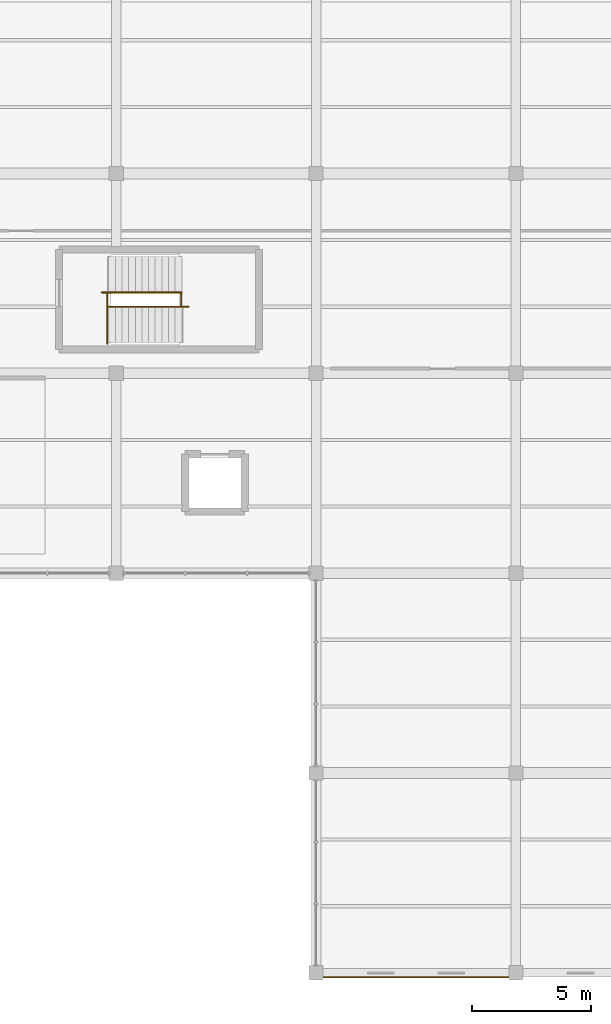
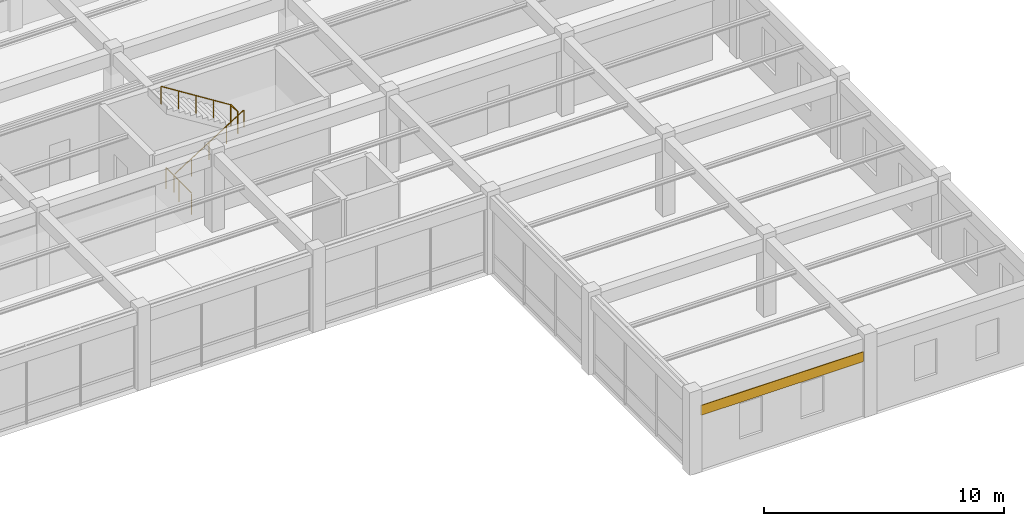
# One storey, part 105 of 114: 4 railings, 1 covering.
"""IFC4 building model written with IfcOpenShell, lengths in metres."""

from ifc_helpers import new_model, si_unit, direction, frame, origin, origin_2d, place, context, subcontext, project, spatial, polyline, circle, outline, extrude, material, layer, layer_set, type_object, element, save


model = new_model("IFC4")

# Units and contexts
model_context = context("Model", 3, precision=1e-05, world=origin(), true_north=direction((0.0, 1.0)))
body_context = subcontext(model_context, "Body", "Model", "MODEL_VIEW")
ifc_project = project(units=[si_unit("LENGTHUNIT", "METRE"), si_unit("AREAUNIT", "SQUARE_METRE"), si_unit("VOLUMEUNIT", "CUBIC_METRE"), si_unit("PLANEANGLEUNIT", "RADIAN"), si_unit("MASSUNIT", "GRAM", prefix="KILO"), si_unit("THERMODYNAMICTEMPERATUREUNIT", "KELVIN"), si_unit("POWERUNIT", "WATT")], contexts=[model_context])

# Site, building, storey
site_placement = place(None, origin())
site = spatial("IfcSite", under=ifc_project, at=site_placement, CompositionType="ELEMENT")
building_placement = place(site_placement, origin())
building = spatial("IfcBuilding", under=site, at=building_placement, Name="Darbajah Civic Hall", CompositionType="ELEMENT")
storey_placement = place(building_placement, frame((0.0, 0.0, 13.800048828125)))
storey = spatial("IfcBuildingStorey", under=building, at=storey_placement, Name="L03", CompositionType="ELEMENT", Elevation=13.800048828125)

# Railings
ifc_material_1 = material(Name="Brushed Bronze Stainless Steel", Category="steel")
railing_type_1 = type_object("IfcRailingType", Name="Brushed Bronze Handrail", PredefinedType="HANDRAIL", material=ifc_material_1)
railing_1_placement = place(storey_placement, frame((41.679931640625, 28.0, 0.175048828125)))
element("IfcRailing", 1, at=railing_1_placement, inside=storey, type_object=railing_type_1, Name="ST11 L03 lower flight handrail", PredefinedType="HANDRAIL", context=body_context, shape_type="SweptSolid", body=[
    extrude(circle(Radius=0.02392578125, at=origin_2d()), frame((0.023193359375, 0.0, 0.910400390625), z_axis=(0.845972016735, 0.0, 0.533227293844), x_axis=(0.0, 1.0, 0.0)), (0.0, 0.0, 1.0), 3.917236328125),
    extrude(circle(Radius=0.02099609375, at=origin_2d()), origin(), (0.0, 0.0, 1.0), 0.867919921875),
    extrude(circle(Radius=0.02099609375, at=origin_2d()), frame((0.840087890625, 0.0, 0.529541015625)), (0.0, 0.0, 1.0), 0.867919921875),
    extrude(circle(Radius=0.02099609375, at=origin_2d()), frame((1.68017578125, 0.0, 1.05908203125)), (0.0, 0.0, 1.0), 0.867919921875),
    extrude(circle(Radius=0.02099609375, at=origin_2d()), frame((2.52001953125, 0.0, 1.58837890625)), (0.0, 0.0, 1.0), 0.867919921875),
    extrude(circle(Radius=0.02099609375, at=origin_2d()), frame((3.360107421875, 0.0, 2.117919921875)), (0.0, 0.0, 1.0), 0.867919921875),
])
railing_2_placement = place(storey_placement, frame((44.760009765625, 28.60009765625, 2.27490234375)))
element("IfcRailing", 2, at=railing_2_placement, inside=storey, type_object=railing_type_1, Name="ST11 L03 upper flight handrail", PredefinedType="HANDRAIL", context=body_context, shape_type="SweptSolid", body=[
    extrude(circle(Radius=0.02392578125, at=origin_2d()), frame((-0.023193359375, 0.0, 0.910400390625), z_axis=(-0.845944288966, 0.0, 0.533271281775), x_axis=(0.0, -1.0, 0.0)), (0.0, 0.0, 1.0), 3.91748046875),
    extrude(circle(Radius=0.02099609375, at=origin_2d()), origin(), (0.0, 0.0, 1.0), 0.867919921875),
    extrude(circle(Radius=0.02099609375, at=origin_2d()), frame((-0.840087890625, 0.0, 0.529541015625)), (0.0, 0.0, 1.0), 0.867919921875),
    extrude(circle(Radius=0.02099609375, at=origin_2d()), frame((-1.68017578125, 0.0, 1.05908203125)), (0.0, 0.0, 1.0), 0.867919921875),
    extrude(circle(Radius=0.02099609375, at=origin_2d()), frame((-2.52001953125, 0.0, 1.588623046875)), (0.0, 0.0, 1.0), 0.867919921875),
    extrude(circle(Radius=0.02099609375, at=origin_2d()), frame((-3.360107421875, 0.0, 2.1181640625)), (0.0, 0.0, 1.0), 0.867919921875),
])
ifc_material_2 = material(Name="Brushed Bronze and Laminated Safety Glass", Category="glass")
railing_type_2 = type_object("IfcRailingType", Name="Interior Guard Balustrade", PredefinedType="BALUSTRADE", material=ifc_material_2)
railing_3_placement = place(storey_placement, frame((41.6298828125, 26.449951171875, 0.0)))
element("IfcRailing", 3, at=railing_3_placement, inside=storey, type_object=railing_type_2, Name="ST11 L03 stair-well edge guard", PredefinedType="BALUSTRADE", context=body_context, shape_type="SweptSolid", body=[
    extrude(circle(Radius=0.02392578125, at=origin_2d()), frame((0.0, 0.02734375, 1.09619140625), z_axis=(0.0, 1.0, 0.0), x_axis=(-1.0, 0.0, 0.0)), (0.0, 0.0, 1.0), 2.095458984375),
    extrude(circle(Radius=0.02099609375, at=origin_2d()), origin(), (0.0, 0.0, 1.0), 1.068115234375),
    extrude(circle(Radius=0.02099609375, at=origin_2d()), frame((0.0, 1.0751953125, 0.0)), (0.0, 0.0, 1.0), 1.068115234375),
    extrude(circle(Radius=0.02099609375, at=origin_2d()), frame((0.0, 2.150146484375, 0.0)), (0.0, 0.0, 1.0), 1.068115234375),
])
railing_4_placement = place(storey_placement, frame((44.739990234375, 28.0, 2.099853515625)))
element("IfcRailing", 4, at=railing_4_placement, inside=storey, type_object=railing_type_2, Name="ST11 L03 landing well guard", PredefinedType="BALUSTRADE", context=body_context, shape_type="SweptSolid", body=[
    extrude(circle(Radius=0.02392578125, at=origin_2d()), frame((0.0, 0.02734375, 1.09619140625), z_axis=(0.0, 1.0, 0.0), x_axis=(-1.0, 0.0, 0.0)), (0.0, 0.0, 1.0), 0.54541015625),
    extrude(circle(Radius=0.02099609375, at=origin_2d()), origin(), (0.0, 0.0, 1.0), 1.068115234375),
    extrude(circle(Radius=0.02099609375, at=origin_2d()), frame((0.0, 0.60009765625, 0.0)), (0.0, 0.0, 1.0), 1.068115234375),
])

# Covering
ifc_material_3 = material(Name="Qatari Desert Limestone Ashlar", Category="masonry")
ifc_layer = layer(ifc_material_3, 0.044921875, Name="Qatari Desert Limestone Ashlar")
ifc_layer_set = layer_set([ifc_layer], Name="Qatari Desert Limestone Ashlar")
covering_type = type_object("IfcCoveringType", Name="Limestone Facade Cladding", PredefinedType="CLADDING", material=ifc_layer_set)
covering_placement = place(storey_placement, frame((0.0, 0.0, 2.7900390625)))
element("IfcCovering", 5, at=covering_placement, inside=storey, type_object=covering_type, Name="L03 stone frieze cladding EW-V5-L03-S4-B0", PredefinedType="CLADDING", context=body_context, shape_type="SweptSolid", body=[
    extrude(outline(polyline([(50.701904296875, -0.155029296875), (58.498046875, -0.155029296875), (58.498046875, -0.199951171875), (50.701904296875, -0.199951171875), (50.701904296875, -0.155029296875)])), origin(), (0.0, 0.0, 1.0), 0.5),
])

save(model, "model.ifc")
